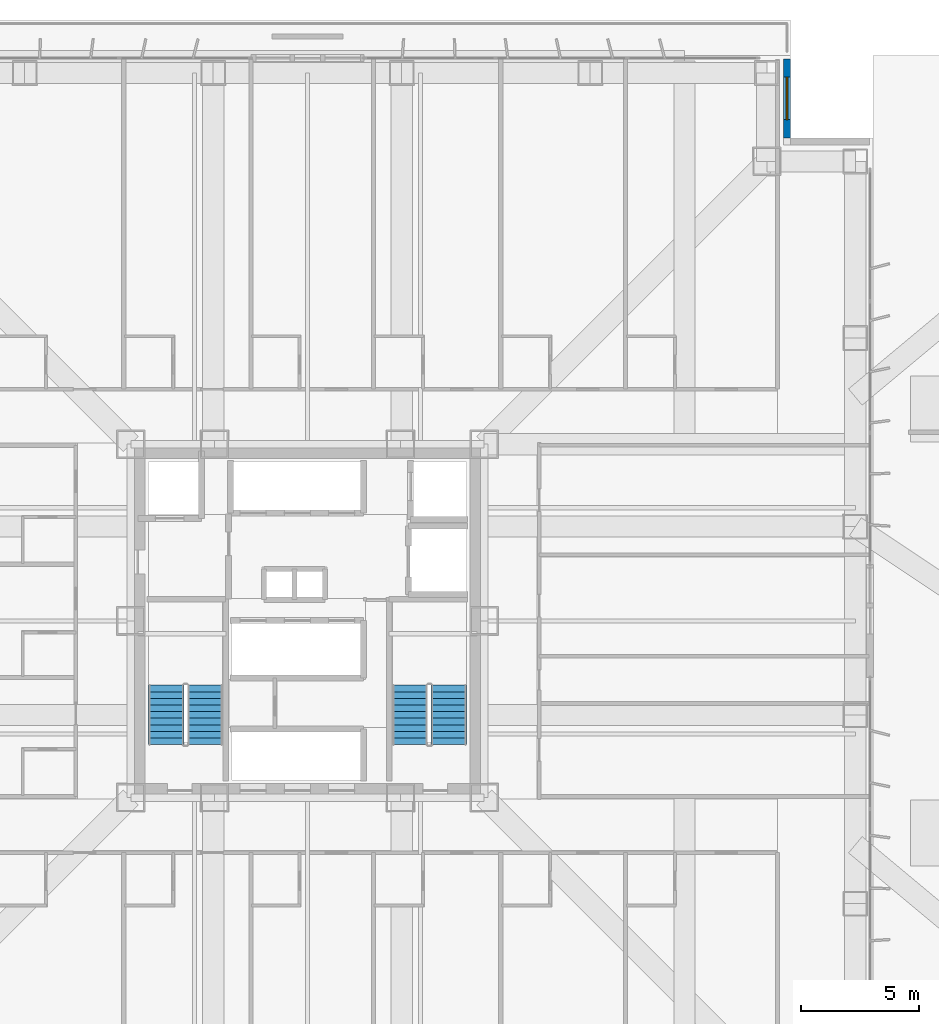
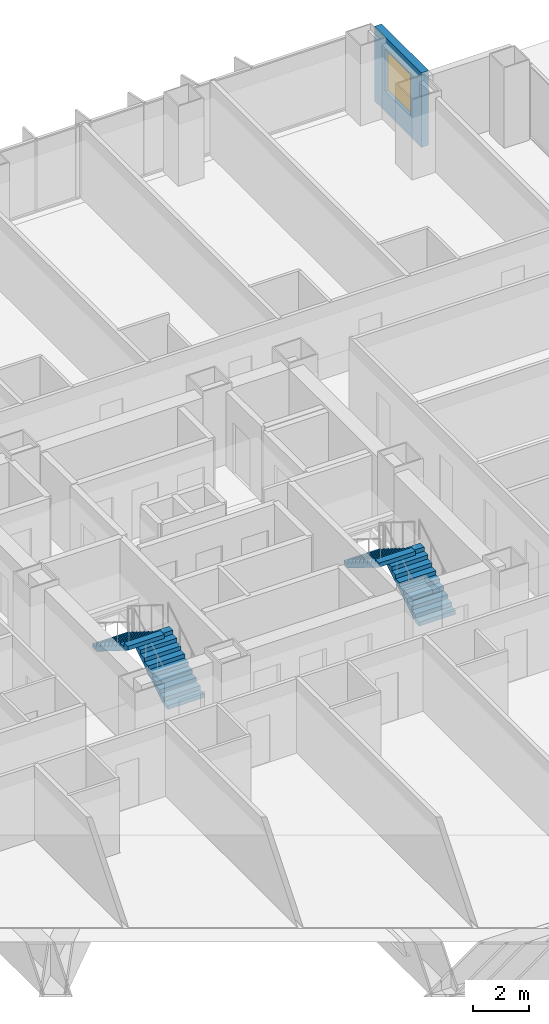
# One storey, part 19 of 24: 4 stair flights, 1 wall, 1 window, 1 opening, 2 elements without a shape of their own.
"""IFC4 building model written with IfcOpenShell, lengths in metres."""

from ifc_helpers import new_model, si_unit, direction, frame, frame_2d, origin, place, context, subcontext, project, spatial, polyline, rectangle, outline, extrude, material, layer, layer_set, type_object, element, fill, aggregate, save


model = new_model("IFC4")

# Units and contexts
model_context = context("Model", 3, precision=1e-05, world=origin(), true_north=direction((0.0, 1.0)))
body_context = subcontext(model_context, "Body", "Model", "MODEL_VIEW")
ifc_project = project(units=[si_unit("LENGTHUNIT", "METRE"), si_unit("AREAUNIT", "SQUARE_METRE"), si_unit("VOLUMEUNIT", "CUBIC_METRE"), si_unit("PLANEANGLEUNIT", "RADIAN"), si_unit("MASSUNIT", "GRAM", prefix="KILO")], contexts=[model_context])

# Site, building, storey
site_placement = place(None, origin())
site = spatial("IfcSite", under=ifc_project, at=site_placement, CompositionType="ELEMENT")
building_placement = place(site_placement, origin())
building = spatial("IfcBuilding", under=site, at=building_placement, Name="Trevonay Congress Spire", CompositionType="ELEMENT")
storey_placement = place(building_placement, frame((0.0, 0.0, 27.0)))
storey = spatial("IfcBuildingStorey", under=building, at=storey_placement, Name="L05", CompositionType="ELEMENT", Elevation=27.0)

# Wall, opening, window
ifc_material_1 = material(Name="Precast concrete C40/50", Category="concrete")
ifc_layer = layer(ifc_material_1, 0.300048828125, Name="Precast concrete C40/50")
ifc_layer_set = layer_set([ifc_layer], Name="Precast concrete C40/50")
wall_type = type_object("IfcWallType", Name="WAL-EXT-PRECAST-300", PredefinedType="SOLIDWALL", material=ifc_layer_set)
wall_placement = place(storey_placement, frame((20.35009765625, 23.85009765625, 0.0), z_axis=(0.0, 0.0, 1.0), x_axis=(0.0, -1.0, 0.0)))
wall = element("IfcWall", 1, at=wall_placement, inside=storey, type_object=wall_type, Name="L05 NE re-entrant notch exterior wall 1", PredefinedType="SOLIDWALL", context=body_context, shape_type="SweptSolid", body=[
    extrude(rectangle(XDim=3.35009765625, YDim=0.300048828125, at=frame_2d((1.675048828125, 0.0))), origin(), (0.0, 0.0, 1.0), 3.25),
])
opening_placement = place(wall_placement, frame((0.77490234375, 0.0, 0.89990234375)))
opening = element("IfcOpeningElement", 2, at=opening_placement, cuts=wall, Name="Opening WN01", PredefinedType="OPENING", context=body_context, shape_type="SweptSolid", body=[
    extrude(rectangle(XDim=1.800048828125, YDim=1.800048828125, at=frame_2d((0.89990234375, 0.89990234375))), frame((0.0, 0.16015625, 0.0), z_axis=(0.0, -1.0, 0.0), x_axis=(1.0, 0.0, 0.0)), (0.0, 0.0, 1.0), 0.320068359375),
])
ifc_material_2 = material(Name="Insulated Low-E Vision Glass IGU", Category="glass")
window_type = type_object("IfcWindowType", Name="WIN-HOTEL-180X180", PartitioningType="SINGLE_PANEL", PredefinedType="WINDOW", material=ifc_material_2)
window_placement = place(opening_placement, origin())
window = element("IfcWindow", 3, at=window_placement, inside=storey, type_object=window_type, Name="L05 NE corner notch window", OverallHeight=1.800048828125, OverallWidth=1.800048828125, PartitioningType="SINGLE_PANEL", PredefinedType="WINDOW", context=body_context, shape_type="SweptSolid", body=[
    extrude(rectangle(XDim=1.800048828125, YDim=1.800048828125, at=frame_2d((0.89990234375, 0.89990234375))), frame((0.0, 0.030029296875, 0.0), z_axis=(0.0, -1.0, 0.0), x_axis=(1.0, 0.0, 0.0)), (0.0, 0.0, 1.0), 0.06005859375),
])
fill(opening, window)

# Stair, stair flights
ifc_material_3 = material(Name="Concrete C40/50", Category="concrete")
stair_type_1 = type_object("IfcStairType", Name="STR-ST-1", PredefinedType="HALF_TURN_STAIR", material=ifc_material_3)
stair_1_placement = place(storey_placement, origin())
stair_1 = element("IfcStair", 4, at=stair_1_placement, inside=storey, type_object=stair_type_1, Name="L05 Protected Exit Stair ST-1", PredefinedType="HALF_TURN_STAIR")
stair_flight_type_1 = type_object("IfcStairFlightType", Name="SFL-ST-1", PredefinedType="STRAIGHT", material=ifc_material_3)
stair_flight_1_placement = place(storey_placement, frame((-4.35009765625, -5.25, 0.0), z_axis=(0.0, 0.0, 1.0), x_axis=(0.0, 1.0, 0.0)))
stair_flight_1 = element("IfcStairFlight", 5, at=stair_flight_1_placement, type_object=stair_flight_type_1, Name="ST-1 flight 1", NumberOfRisers=10, NumberOfTreads=9, PredefinedType="STRAIGHT", RiserHeight=0.175, TreadLength=0.28, context=body_context, shape_type="SweptSolid", body=[
    extrude(outline(polyline([(0.0, 0.0), (0.0, 0.175048828125), (0.280029296875, 0.175048828125), (0.280029296875, 0.35009765625), (0.56005859375, 0.35009765625), (0.56005859375, 0.52490234375), (0.840087890625, 0.52490234375), (0.840087890625, 0.699951171875), (1.1201171875, 0.699951171875), (1.1201171875, 0.875), (1.39990234375, 0.875), (1.39990234375, 1.050048828125), (1.679931640625, 1.050048828125), (1.679931640625, 1.22509765625), (1.9599609375, 1.22509765625), (1.9599609375, 1.39990234375), (2.239990234375, 1.39990234375), (2.239990234375, 1.574951171875), (2.52001953125, 1.574951171875), (2.52001953125, 1.75), (2.52001953125, 1.398193359375), (0.28271484375, 0.0), (0.0, 0.0)])), frame((0.0, 0.75, 0.0), z_axis=(0.0, -1.0, 0.0), x_axis=(1.0, 0.0, 0.0)), (0.0, 0.0, 1.0), 1.5),
])
stair_flight_2_placement = place(storey_placement, frame((-6.0, -2.72998046875, 1.75), z_axis=(0.0, 0.0, 1.0), x_axis=(0.0, -1.0, 0.0)))
stair_flight_2 = element("IfcStairFlight", 6, at=stair_flight_2_placement, type_object=stair_flight_type_1, Name="ST-1 flight 2", NumberOfRisers=10, NumberOfTreads=9, PredefinedType="STRAIGHT", RiserHeight=0.175, TreadLength=0.28, context=body_context, shape_type="SweptSolid", body=[
    extrude(outline(polyline([(0.0, 0.0), (0.0, 0.175048828125), (0.280029296875, 0.175048828125), (0.280029296875, 0.35009765625), (0.56005859375, 0.35009765625), (0.56005859375, 0.52490234375), (0.840087890625, 0.52490234375), (0.840087890625, 0.699951171875), (1.1201171875, 0.699951171875), (1.1201171875, 0.875), (1.39990234375, 0.875), (1.39990234375, 1.050048828125), (1.679931640625, 1.050048828125), (1.679931640625, 1.22509765625), (1.9599609375, 1.22509765625), (1.9599609375, 1.39990234375), (2.239990234375, 1.39990234375), (2.239990234375, 1.574951171875), (2.52001953125, 1.574951171875), (2.52001953125, 1.75), (2.52001953125, 1.398193359375), (0.28271484375, 0.0), (0.0, 0.0)])), frame((0.0, 0.75, 0.0), z_axis=(0.0, -1.0, 0.0), x_axis=(1.0, 0.0, 0.0)), (0.0, 0.0, 1.0), 1.5),
])
aggregate(stair_1, [stair_flight_1, stair_flight_2])

stair_type_2 = type_object("IfcStairType", Name="STR-ST-2", PredefinedType="HALF_TURN_STAIR", material=ifc_material_3)
stair_2_placement = place(storey_placement, origin())
stair_2 = element("IfcStair", 7, at=stair_2_placement, inside=storey, type_object=stair_type_2, Name="L05 Protected Exit Stair ST-2", PredefinedType="HALF_TURN_STAIR")
stair_flight_type_2 = type_object("IfcStairFlightType", Name="SFL-ST-2", PredefinedType="STRAIGHT", material=ifc_material_3)
stair_flight_3_placement = place(storey_placement, frame((6.0, -5.25, 0.0), z_axis=(0.0, 0.0, 1.0), x_axis=(0.0, 1.0, 0.0)))
stair_flight_3 = element("IfcStairFlight", 8, at=stair_flight_3_placement, type_object=stair_flight_type_2, Name="ST-2 flight 1", NumberOfRisers=10, NumberOfTreads=9, PredefinedType="STRAIGHT", RiserHeight=0.175, TreadLength=0.28, context=body_context, shape_type="SweptSolid", body=[
    extrude(outline(polyline([(0.0, 0.0), (0.0, 0.175048828125), (0.280029296875, 0.175048828125), (0.280029296875, 0.35009765625), (0.56005859375, 0.35009765625), (0.56005859375, 0.52490234375), (0.840087890625, 0.52490234375), (0.840087890625, 0.699951171875), (1.1201171875, 0.699951171875), (1.1201171875, 0.875), (1.39990234375, 0.875), (1.39990234375, 1.050048828125), (1.679931640625, 1.050048828125), (1.679931640625, 1.22509765625), (1.9599609375, 1.22509765625), (1.9599609375, 1.39990234375), (2.239990234375, 1.39990234375), (2.239990234375, 1.574951171875), (2.52001953125, 1.574951171875), (2.52001953125, 1.75), (2.52001953125, 1.398193359375), (0.28271484375, 0.0), (0.0, 0.0)])), frame((0.0, 0.75, 0.0), z_axis=(0.0, -1.0, 0.0), x_axis=(1.0, 0.0, 0.0)), (0.0, 0.0, 1.0), 1.5),
])
stair_flight_4_placement = place(storey_placement, frame((4.35009765625, -2.72998046875, 1.75), z_axis=(0.0, 0.0, 1.0), x_axis=(0.0, -1.0, 0.0)))
stair_flight_4 = element("IfcStairFlight", 9, at=stair_flight_4_placement, type_object=stair_flight_type_2, Name="ST-2 flight 2", NumberOfRisers=10, NumberOfTreads=9, PredefinedType="STRAIGHT", RiserHeight=0.175, TreadLength=0.28, context=body_context, shape_type="SweptSolid", body=[
    extrude(outline(polyline([(0.0, 0.0), (0.0, 0.175048828125), (0.280029296875, 0.175048828125), (0.280029296875, 0.35009765625), (0.56005859375, 0.35009765625), (0.56005859375, 0.52490234375), (0.840087890625, 0.52490234375), (0.840087890625, 0.699951171875), (1.1201171875, 0.699951171875), (1.1201171875, 0.875), (1.39990234375, 0.875), (1.39990234375, 1.050048828125), (1.679931640625, 1.050048828125), (1.679931640625, 1.22509765625), (1.9599609375, 1.22509765625), (1.9599609375, 1.39990234375), (2.239990234375, 1.39990234375), (2.239990234375, 1.574951171875), (2.52001953125, 1.574951171875), (2.52001953125, 1.75), (2.52001953125, 1.398193359375), (0.28271484375, 0.0), (0.0, 0.0)])), frame((0.0, 0.75, 0.0), z_axis=(0.0, -1.0, 0.0), x_axis=(1.0, 0.0, 0.0)), (0.0, 0.0, 1.0), 1.5),
])
aggregate(stair_2, [stair_flight_3, stair_flight_4])

save(model, "model.ifc")
